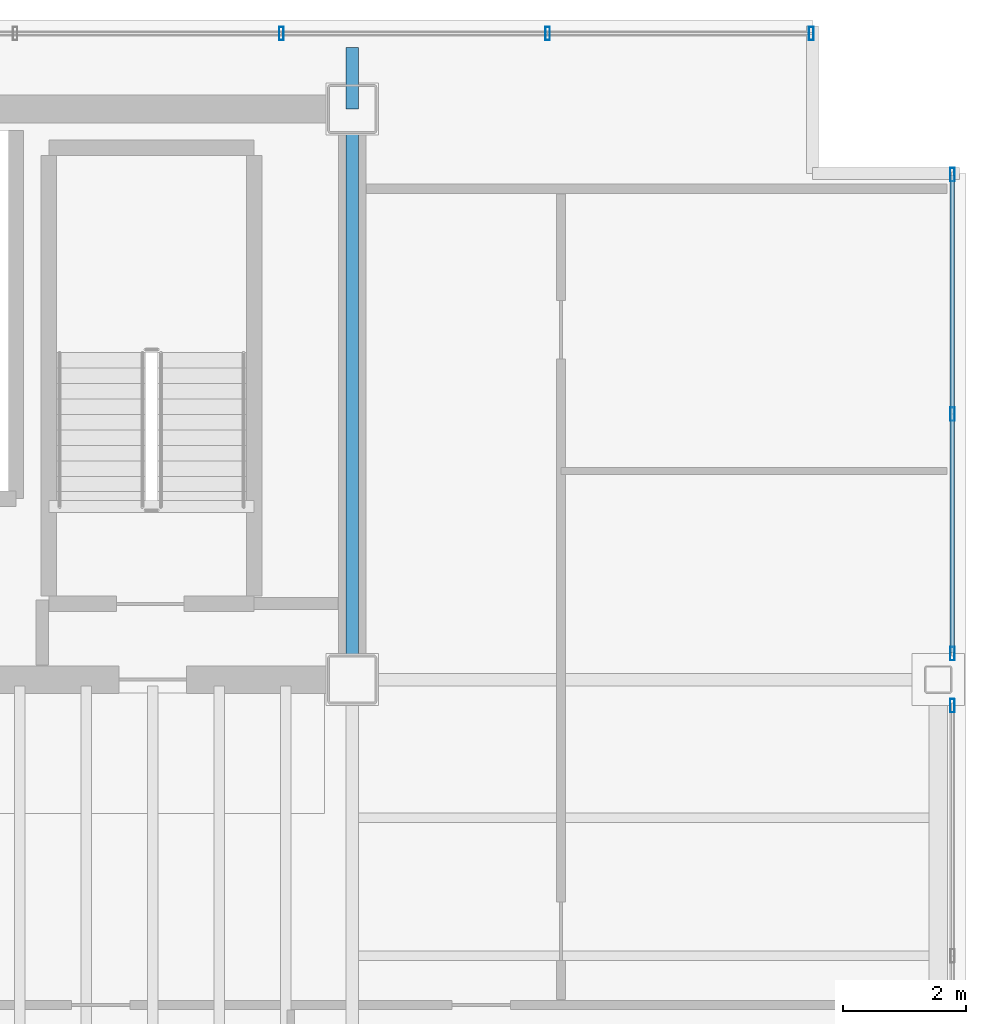
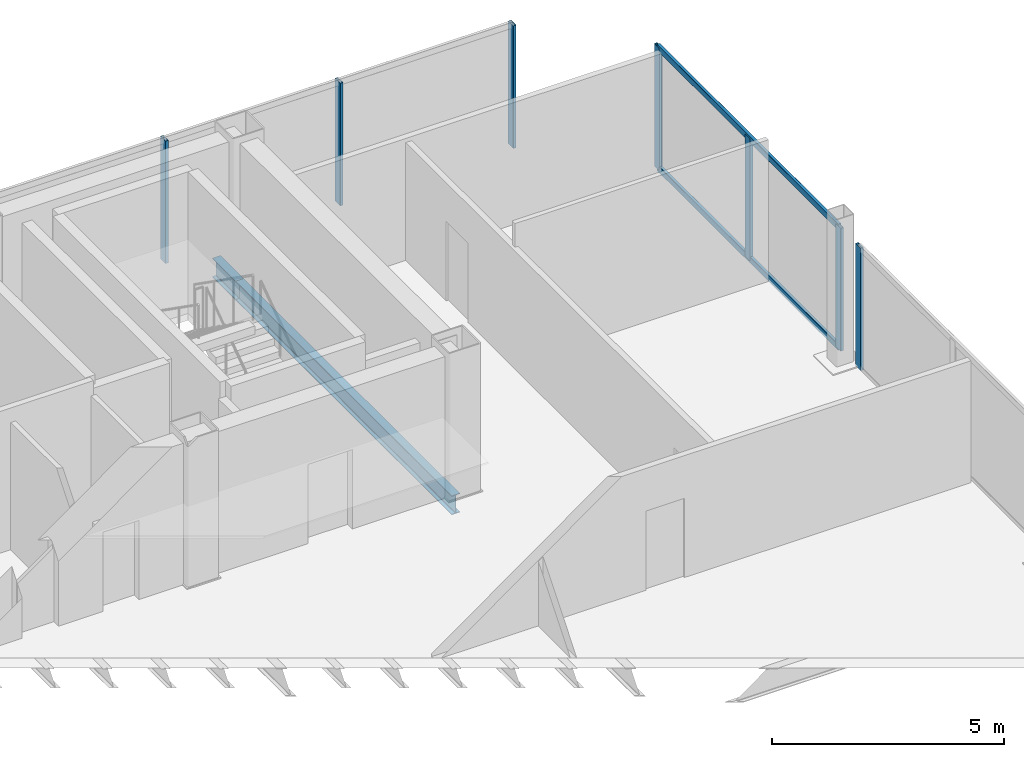
# One storey, part 11 of 15: 9 members, 2 beams, 3 elements without a shape of their own.
"""IFC4 building model written with IfcOpenShell, lengths in metres."""

from ifc_helpers import new_model, si_unit, direction, frame, origin, origin_2d, place, context, subcontext, project, spatial, hollow_rectangle, i_section, extrude, material, material_profile, profile_set, type_object, element, aggregate, save


model = new_model("IFC4")

# Units and contexts
model_context = context("Model", 3, precision=1e-05, world=origin(), true_north=direction((0.0, 1.0)))
body_context = subcontext(model_context, "Body", "Model", "MODEL_VIEW")
ifc_project = project(units=[si_unit("LENGTHUNIT", "METRE"), si_unit("AREAUNIT", "SQUARE_METRE"), si_unit("VOLUMEUNIT", "CUBIC_METRE"), si_unit("PLANEANGLEUNIT", "RADIAN"), si_unit("MASSUNIT", "GRAM", prefix="KILO")], contexts=[model_context])

# Site, building, storey
site_placement = place(None, origin())
site = spatial("IfcSite", under=ifc_project, at=site_placement, CompositionType="ELEMENT")
building_placement = place(site_placement, origin())
building = spatial("IfcBuilding", under=site, at=building_placement, Name="Noeulbin Bourse Tower", CompositionType="ELEMENT")
storey_placement = place(building_placement, frame((0.0, 0.0, 222.800048828125)))
storey = spatial("IfcBuildingStorey", under=building, at=storey_placement, Name="L55", CompositionType="ELEMENT", Elevation=222.800048828125)

# Beams
ifc_material_1 = material(Name="Steel S355", Category="steel")
ifc_material_profile_1 = material_profile(ifc_material_1, i_section(OverallWidth=0.199951171875, OverallDepth=0.5, WebThickness=0.010009765625, FlangeThickness=0.01611328125, FilletRadius=0.02001953125, at=origin_2d()), Name="H-500x200x10x16", Category="LoadBearing")
ifc_profile_set_1 = profile_set([ifc_material_profile_1], Name="Steel S355")
beam_type = type_object("IfcBeamType", Name="BM-GRD-500", PredefinedType="USERDEFINED", material=ifc_profile_set_1)
beam_1_placement = place(storey_placement, frame((44.0, 29.0, -0.429931640625), z_axis=(0.0, 1.0, 0.0), x_axis=(-1.0, 0.0, 0.0)))
element("IfcBeam", 1, at=beam_1_placement, inside=storey, type_object=beam_type, Name="Tower Primary Girder NS L55-5.3", ObjectType="GIRDER", PredefinedType="USERDEFINED", context=body_context, shape_type="SweptSolid", body=[
    extrude(i_section(OverallWidth=0.199951171875, OverallDepth=0.5, WebThickness=0.010009765625, FlangeThickness=0.01611328125, FilletRadius=0.02001953125, at=origin_2d()), origin(), (0.0, 0.0, 1.0), 9.300048828125),
])
beam_2_placement = place(storey_placement, frame((44.0, 38.300048828125, -0.429931640625), z_axis=(0.0, 1.0, 0.0), x_axis=(-1.0, 0.0, 0.0)))
element("IfcBeam", 2, at=beam_2_placement, inside=storey, type_object=beam_type, Name="Tower Primary Girder NS L55-5.4", ObjectType="GIRDER", PredefinedType="USERDEFINED", context=body_context, shape_type="SweptSolid", body=[
    extrude(i_section(OverallWidth=0.199951171875, OverallDepth=0.5, WebThickness=0.010009765625, FlangeThickness=0.01611328125, FilletRadius=0.02001953125, at=origin_2d()), origin(), (0.0, 0.0, 1.0), 1.0),
])

# Curtain wall, members
ifc_material_2 = material(Name="High-Selectivity Low-Iron Glazing", Category="glass")
curtain_wall_type = type_object("IfcCurtainWallType", Name="CW-SYS-4", PredefinedType="NOTDEFINED", material=ifc_material_2)
curtain_wall_1_placement = place(storey_placement, origin())
curtain_wall_1 = element("IfcCurtainWall", 3, at=curtain_wall_1_placement, inside=storey, type_object=curtain_wall_type, Name="Unitised Curtain Wall CW-L55-N", PredefinedType="NOTDEFINED")
ifc_material_3 = material(Name="Anodised Aluminium 6063-T6", Category="aluminium")
ifc_material_profile_2 = material_profile(ifc_material_3, hollow_rectangle(XDim=0.074951171875, YDim=0.219970703125, WallThickness=0.0048828125, InnerFilletRadius=0.00244140625, OuterFilletRadius=0.0048828125, at=origin_2d()), Name="ALU-MULL-75x220x5", Category="LoadBearing")
ifc_profile_set_2 = profile_set([ifc_material_profile_2], Name="Anodised Aluminium 6063-T6")
member_type_1 = type_object("IfcMemberType", Name="CW-SYS-4-MUL", PredefinedType="MULLION", material=ifc_profile_set_2)
member_1_placement = place(storey_placement, frame((42.844482421875, 39.530029296875, -0.02001953125), z_axis=(0.0, 0.0, 1.0), x_axis=(1.0, 0.0, 0.0)))
member_1 = element("IfcMember", 4, at=member_1_placement, type_object=member_type_1, Name="Curtain Wall Mullion CW-L55-N-M07", PredefinedType="MULLION", context=body_context, shape_type="SweptSolid", body=[
    extrude(hollow_rectangle(XDim=0.074951171875, YDim=0.219970703125, WallThickness=0.0048828125, InnerFilletRadius=0.00244140625, OuterFilletRadius=0.0048828125, at=origin_2d()), origin(), (0.0, 0.0, 1.0), 3.219970703125),
])
member_2_placement = place(storey_placement, frame((47.18212890625, 39.530029296875, -0.02001953125), z_axis=(0.0, 0.0, 1.0), x_axis=(1.0, 0.0, 0.0)))
member_2 = element("IfcMember", 5, at=member_2_placement, type_object=member_type_1, Name="Curtain Wall Mullion CW-L55-N-M08", PredefinedType="MULLION", context=body_context, shape_type="SweptSolid", body=[
    extrude(hollow_rectangle(XDim=0.074951171875, YDim=0.219970703125, WallThickness=0.0048828125, InnerFilletRadius=0.00244140625, OuterFilletRadius=0.0048828125, at=origin_2d()), origin(), (0.0, 0.0, 1.0), 3.219970703125),
])
member_3_placement = place(storey_placement, frame((51.47998046875, 39.530029296875, -0.02001953125), z_axis=(0.0, 0.0, 1.0), x_axis=(1.0, 0.0, 0.0)))
member_3 = element("IfcMember", 6, at=member_3_placement, type_object=member_type_1, Name="Curtain Wall Mullion CW-L55-N-M09", PredefinedType="MULLION", context=body_context, shape_type="SweptSolid", body=[
    extrude(hollow_rectangle(XDim=0.074951171875, YDim=0.219970703125, WallThickness=0.0048828125, InnerFilletRadius=0.00244140625, OuterFilletRadius=0.0048828125, at=origin_2d()), origin(), (0.0, 0.0, 1.0), 3.219970703125),
])
aggregate(curtain_wall_1, [member_1, member_2, member_3])

# Curtain wall, member
curtain_wall_2_placement = place(storey_placement, origin())
curtain_wall_2 = element("IfcCurtainWall", 7, at=curtain_wall_2_placement, inside=storey, type_object=curtain_wall_type, Name="Unitised Curtain Wall CW-L55-E-S2", PredefinedType="NOTDEFINED")
member_4_placement = place(storey_placement, frame((53.780029296875, 28.574951171875, -0.02001953125), z_axis=(0.0, 0.0, 1.0), x_axis=(1.0, 0.0, 0.0)))
member_4 = element("IfcMember", 8, at=member_4_placement, type_object=member_type_1, Name="Curtain Wall Mullion CW-L55-E-S2-M02", PredefinedType="MULLION", context=body_context, shape_type="SweptSolid", body=[
    extrude(hollow_rectangle(XDim=0.074951171875, YDim=0.219970703125, WallThickness=0.0048828125, InnerFilletRadius=0.00244140625, OuterFilletRadius=0.0048828125, at=origin_2d()), origin(), (0.0, 0.0, 1.0), 3.219970703125),
])
aggregate(curtain_wall_2, [member_4])

# Curtain wall, members
curtain_wall_3_placement = place(storey_placement, origin())
curtain_wall_3 = element("IfcCurtainWall", 9, at=curtain_wall_3_placement, inside=storey, type_object=curtain_wall_type, Name="Unitised Curtain Wall CW-L55-E-S3", PredefinedType="NOTDEFINED")
member_5_placement = place(storey_placement, frame((53.780029296875, 29.425048828125, -0.02001953125), z_axis=(0.0, 0.0, 1.0), x_axis=(1.0, 0.0, 0.0)))
member_5 = element("IfcMember", 10, at=member_5_placement, type_object=member_type_1, Name="Curtain Wall Mullion CW-L55-E-S3-M00", PredefinedType="MULLION", context=body_context, shape_type="SweptSolid", body=[
    extrude(hollow_rectangle(XDim=0.074951171875, YDim=0.219970703125, WallThickness=0.0048828125, InnerFilletRadius=0.00244140625, OuterFilletRadius=0.0048828125, at=origin_2d()), origin(), (0.0, 0.0, 1.0), 3.219970703125),
])
member_6_placement = place(storey_placement, frame((53.780029296875, 33.327392578125, -0.02001953125), z_axis=(0.0, 0.0, 1.0), x_axis=(1.0, 0.0, 0.0)))
member_6 = element("IfcMember", 11, at=member_6_placement, type_object=member_type_1, Name="Curtain Wall Mullion CW-L55-E-S3-M01", PredefinedType="MULLION", context=body_context, shape_type="SweptSolid", body=[
    extrude(hollow_rectangle(XDim=0.074951171875, YDim=0.219970703125, WallThickness=0.0048828125, InnerFilletRadius=0.00244140625, OuterFilletRadius=0.0048828125, at=origin_2d()), origin(), (0.0, 0.0, 1.0), 3.219970703125),
])
member_7_placement = place(storey_placement, frame((53.780029296875, 37.22998046875, -0.02001953125), z_axis=(0.0, 0.0, 1.0), x_axis=(1.0, 0.0, 0.0)))
member_7 = element("IfcMember", 12, at=member_7_placement, type_object=member_type_1, Name="Curtain Wall Mullion CW-L55-E-S3-M02", PredefinedType="MULLION", context=body_context, shape_type="SweptSolid", body=[
    extrude(hollow_rectangle(XDim=0.074951171875, YDim=0.219970703125, WallThickness=0.0048828125, InnerFilletRadius=0.00244140625, OuterFilletRadius=0.0048828125, at=origin_2d()), origin(), (0.0, 0.0, 1.0), 3.219970703125),
])
ifc_material_profile_3 = material_profile(ifc_material_3, hollow_rectangle(XDim=0.074951171875, YDim=0.159912109375, WallThickness=0.0048828125, InnerFilletRadius=0.00244140625, OuterFilletRadius=0.0048828125, at=origin_2d()), Name="ALU-TRAN-75x160x5", Category="LoadBearing")
ifc_profile_set_3 = profile_set([ifc_material_profile_3], Name="Anodised Aluminium 6063-T6")
member_type_2 = type_object("IfcMemberType", Name="CW-SYS-4-TRN", PredefinedType="USERDEFINED", material=ifc_profile_set_3)
member_8_placement = place(storey_placement, frame((53.780029296875, 29.43505859375, 0.010009765625), z_axis=(0.0, 1.0, 0.0), x_axis=(-1.0, 0.0, 0.0)))
member_8 = element("IfcMember", 13, at=member_8_placement, type_object=member_type_2, Name="Curtain Wall Transom CW-L55-E-S3-T00", ObjectType="TRANSOM", PredefinedType="USERDEFINED", context=body_context, shape_type="SweptSolid", body=[
    extrude(hollow_rectangle(XDim=0.074951171875, YDim=0.159912109375, WallThickness=0.0048828125, InnerFilletRadius=0.00244140625, OuterFilletRadius=0.0048828125, at=origin_2d()), origin(), (0.0, 0.0, 1.0), 7.784912109375),
])
member_9_placement = place(storey_placement, frame((53.780029296875, 29.43505859375, 3.169921875), z_axis=(0.0, 1.0, 0.0), x_axis=(-1.0, 0.0, 0.0)))
member_9 = element("IfcMember", 14, at=member_9_placement, type_object=member_type_2, Name="Curtain Wall Transom CW-L55-E-S3-T01", ObjectType="TRANSOM", PredefinedType="USERDEFINED", context=body_context, shape_type="SweptSolid", body=[
    extrude(hollow_rectangle(XDim=0.074951171875, YDim=0.159912109375, WallThickness=0.0048828125, InnerFilletRadius=0.00244140625, OuterFilletRadius=0.0048828125, at=origin_2d()), origin(), (0.0, 0.0, 1.0), 7.784912109375),
])
aggregate(curtain_wall_3, [member_5, member_6, member_7, member_8, member_9])

save(model, "model.ifc")
